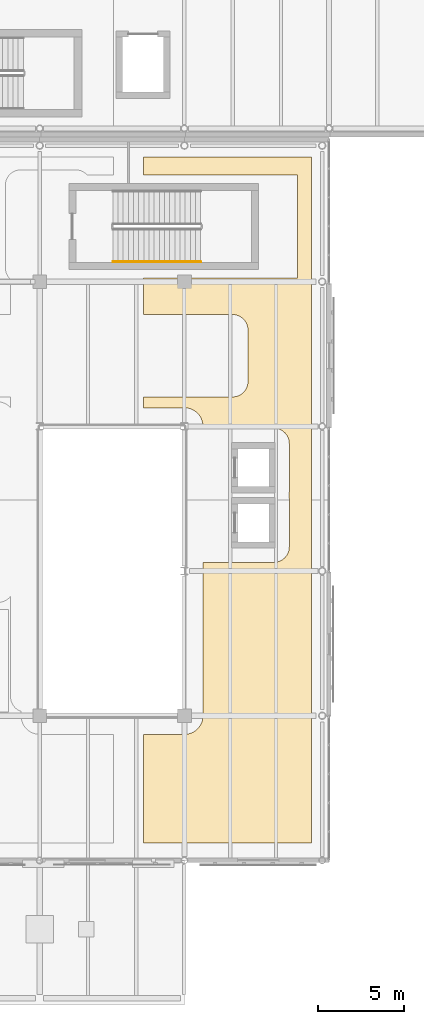
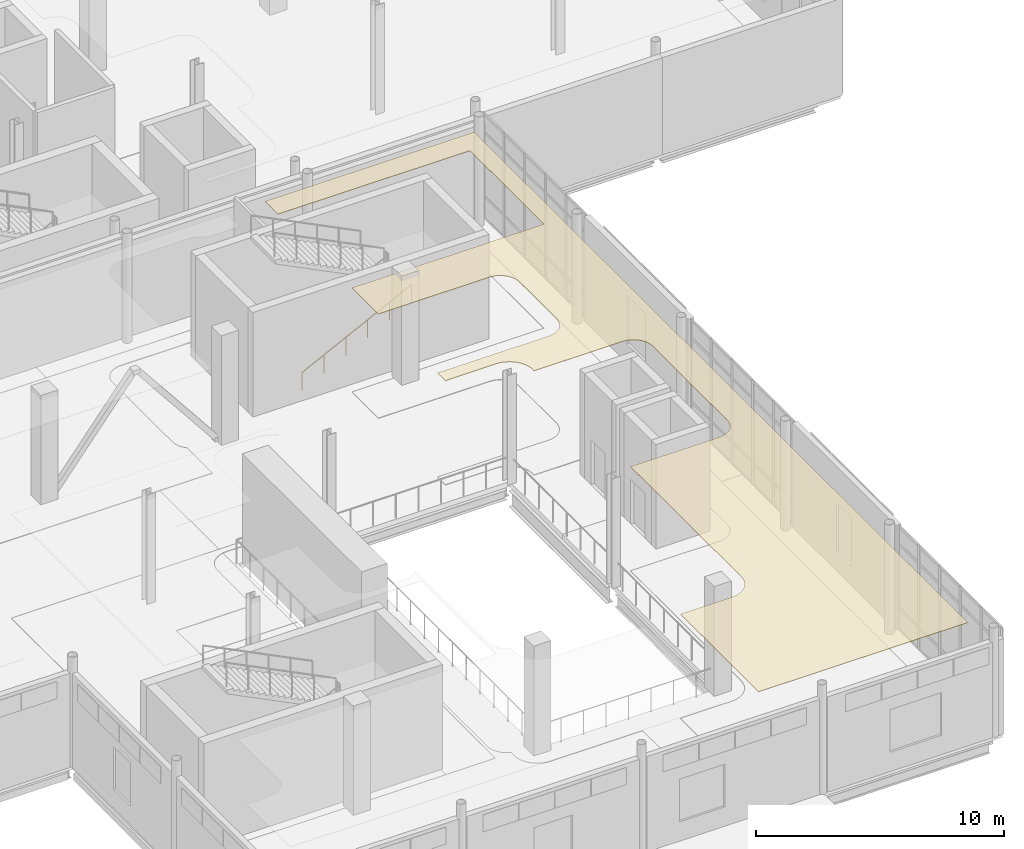
# One storey, part 106 of 110: 1 covering, 1 railing.
"""IFC4 building model written with IfcOpenShell, lengths in metres."""

from ifc_helpers import new_model, si_unit, direction, frame, origin, origin_2d, place, context, subcontext, project, spatial, polyline, circle, outline, extrude, material, layer, layer_set, type_object, element, save


model = new_model("IFC4")

# Units and contexts
model_context = context("Model", 3, precision=1e-05, world=origin(), true_north=direction((0.0, 1.0)))
body_context = subcontext(model_context, "Body", "Model", "MODEL_VIEW")
ifc_project = project(units=[si_unit("LENGTHUNIT", "METRE"), si_unit("AREAUNIT", "SQUARE_METRE"), si_unit("VOLUMEUNIT", "CUBIC_METRE"), si_unit("PLANEANGLEUNIT", "RADIAN"), si_unit("MASSUNIT", "GRAM", prefix="KILO"), si_unit("THERMODYNAMICTEMPERATUREUNIT", "KELVIN")], contexts=[model_context])

# Site, building, storey
site_placement = place(None, origin())
site = spatial("IfcSite", under=ifc_project, at=site_placement, CompositionType="ELEMENT")
building_placement = place(site_placement, origin())
building = spatial("IfcBuilding", under=site, at=building_placement, Name="Lustrewick Department Store", CompositionType="ELEMENT")
storey_placement = place(building_placement, frame((0.0, 0.0, 6.0)))
storey = spatial("IfcBuildingStorey", under=building, at=storey_placement, Name="L02", CompositionType="ELEMENT", Elevation=6.0)

# Covering
ifc_material_1 = material(Name="Perforated mineral-fibre acoustic ceiling board", Category="gypsum")
ifc_layer = layer(ifc_material_1, 0.02490234375, Name="Perforated mineral-fibre acoustic ceiling board")
ifc_layer_set = layer_set([ifc_layer], Name="Perforated mineral-fibre acoustic ceiling board")
covering_type = type_object("IfcCoveringType", Name="COV-CEIL", PredefinedType="CEILING", material=ifc_layer_set)
covering_placement = place(storey_placement, frame((0.0, 0.0, 5.1201171875)))
element("IfcCovering", 1, at=covering_placement, inside=storey, type_object=covering_type, Name="L02 Commercial Restaurant Kitchen Acoustic Ceiling", PredefinedType="CEILING", context=body_context, shape_type="SweptSolid", body=[
    extrude(outline(polyline([(140.438232421875, 15.719970703125), (140.438232421875, 9.419921875), (150.179931640625, 9.419921875), (150.179931640625, 49.22998046875), (140.438232421875, 49.22998046875), (140.438232421875, 48.18994140625), (146.702880859375, 48.18994140625), (146.78759765625, 48.185791015625), (146.82666015625, 48.179931640625), (149.3798828125, 48.179931640625), (149.3798828125, 42.219970703125), (146.82666015625, 42.219970703125), (146.78759765625, 42.214111328125), (146.702880859375, 42.2099609375), (140.438232421875, 42.2099609375), (140.438232421875, 40.090087890625), (145.60302734375, 40.090087890625), (145.687744140625, 40.085693359375), (145.771484375, 40.0732421875), (145.77490234375, 40.072509765625), (145.79248046875, 40.06884765625), (145.795654296875, 40.068115234375), (145.87841796875, 40.04541015625), (145.95849609375, 40.0146484375), (145.961181640625, 40.013427734375), (145.963623046875, 40.01220703125), (146.030517578125, 39.97900390625), (146.034423828125, 39.976806640625), (146.095947265625, 39.939208984375), (146.154052734375, 39.896484375), (146.15869140625, 39.892822265625), (146.2294921875, 39.829345703125), (146.29296875, 39.758544921875), (146.29638671875, 39.75390625), (146.339111328125, 39.69580078125), (146.376708984375, 39.634521484375), (146.37890625, 39.630615234375), (146.412109375, 39.563720703125), (146.41455078125, 39.55859375), (146.445556640625, 39.478515625), (146.46826171875, 39.395751953125), (146.468994140625, 39.392578125), (146.47265625, 39.375), (146.473388671875, 39.37158203125), (146.48583984375, 39.28759765625), (146.489990234375, 39.202880859375), (146.489990234375, 36.197021484375), (146.48583984375, 36.1123046875), (146.473388671875, 36.0283203125), (146.47265625, 36.02490234375), (146.468994140625, 36.007568359375), (146.46826171875, 36.00439453125), (146.445556640625, 35.92138671875), (146.41455078125, 35.841552734375), (146.412109375, 35.836181640625), (146.37890625, 35.76953125), (146.376708984375, 35.765625), (146.339111328125, 35.7041015625), (146.29638671875, 35.64599609375), (146.29296875, 35.641357421875), (146.2294921875, 35.570556640625), (146.15869140625, 35.507080078125), (146.154052734375, 35.50341796875), (146.095947265625, 35.4609375), (146.034423828125, 35.42333984375), (146.030517578125, 35.421142578125), (145.963623046875, 35.3876953125), (145.95849609375, 35.385498046875), (145.87841796875, 35.3544921875), (145.795654296875, 35.331787109375), (145.79248046875, 35.3310546875), (145.77490234375, 35.327392578125), (145.771484375, 35.32666015625), (145.687744140625, 35.314208984375), (145.60302734375, 35.31005859375), (140.438232421875, 35.31005859375), (140.438232421875, 34.679931640625), (142.801025390625, 34.679931640625), (142.84375, 34.678955078125), (142.8662109375, 34.677734375), (142.943603515625, 34.670166015625), (142.966796875, 34.6669921875), (143.051513671875, 34.650146484375), (143.074462890625, 34.644287109375), (143.1533203125, 34.620361328125), (143.17529296875, 34.612548828125), (143.250244140625, 34.58154296875), (143.271728515625, 34.5712890625), (143.345947265625, 34.531494140625), (143.3662109375, 34.51953125), (143.43310546875, 34.474609375), (143.4521484375, 34.460693359375), (143.517822265625, 34.40673828125), (143.53515625, 34.390869140625), (143.5908203125, 34.335205078125), (143.606689453125, 34.31787109375), (143.66064453125, 34.252197265625), (143.6748046875, 34.233154296875), (143.719482421875, 34.166259765625), (143.731689453125, 34.14599609375), (143.771484375, 34.07177734375), (143.781494140625, 34.05029296875), (143.8125, 33.975341796875), (143.8203125, 33.953369140625), (143.844482421875, 33.87451171875), (143.85009765625, 33.8515625), (143.866943359375, 33.7666015625), (143.8701171875, 33.743408203125), (143.877685546875, 33.666259765625), (143.87890625, 33.643798828125), (143.8798828125, 33.60107421875), (143.8798828125, 33.489990234375), (148.0029296875, 33.489990234375), (148.087646484375, 33.48583984375), (148.171630859375, 33.473388671875), (148.175048828125, 33.47265625), (148.1923828125, 33.468994140625), (148.19580078125, 33.46826171875), (148.278564453125, 33.445556640625), (148.3583984375, 33.41455078125), (148.36376953125, 33.412109375), (148.430419921875, 33.37890625), (148.434326171875, 33.376708984375), (148.495849609375, 33.339111328125), (148.553955078125, 33.29638671875), (148.55859375, 33.29296875), (148.62939453125, 33.2294921875), (148.69287109375, 33.15869140625), (148.696533203125, 33.154052734375), (148.739013671875, 33.095947265625), (148.776611328125, 33.034423828125), (148.77880859375, 33.030517578125), (148.812255859375, 32.963623046875), (148.814697265625, 32.95849609375), (148.845458984375, 32.87841796875), (148.8681640625, 32.795654296875), (148.868896484375, 32.79248046875), (148.87255859375, 32.77490234375), (148.873291015625, 32.771484375), (148.8857421875, 32.687744140625), (148.889892578125, 32.60302734375), (148.889892578125, 29.797119140625), (148.8857421875, 29.71240234375), (148.873291015625, 29.62841796875), (148.87255859375, 29.625), (148.868896484375, 29.607421875), (148.8681640625, 29.604248046875), (148.866943359375, 29.60009765625), (148.8681640625, 29.595703125), (148.868896484375, 29.592529296875), (148.87255859375, 29.574951171875), (148.873291015625, 29.571533203125), (148.8857421875, 29.48779296875), (148.889892578125, 29.403076171875), (148.889892578125, 26.596923828125), (148.8857421875, 26.51220703125), (148.873291015625, 26.428466796875), (148.87255859375, 26.425048828125), (148.868896484375, 26.407470703125), (148.8681640625, 26.404296875), (148.845458984375, 26.321533203125), (148.814697265625, 26.241455078125), (148.812255859375, 26.236328125), (148.77880859375, 26.16943359375), (148.776611328125, 26.16552734375), (148.739013671875, 26.10400390625), (148.696533203125, 26.0458984375), (148.69287109375, 26.04150390625), (148.62939453125, 25.970703125), (148.55859375, 25.906982421875), (148.553955078125, 25.903564453125), (148.495849609375, 25.86083984375), (148.434326171875, 25.8232421875), (148.430419921875, 25.821044921875), (148.36376953125, 25.787841796875), (148.3583984375, 25.785400390625), (148.278564453125, 25.75439453125), (148.19580078125, 25.731689453125), (148.1923828125, 25.731201171875), (148.175048828125, 25.727294921875), (148.171630859375, 25.726806640625), (148.087646484375, 25.714111328125), (148.0029296875, 25.7099609375), (143.8798828125, 25.7099609375), (143.8798828125, 16.799072265625), (143.87890625, 16.756103515625), (143.877685546875, 16.733642578125), (143.8701171875, 16.656494140625), (143.866943359375, 16.63330078125), (143.85009765625, 16.548583984375), (143.844482421875, 16.525390625), (143.8203125, 16.446533203125), (143.8125, 16.424560546875), (143.781494140625, 16.349609375), (143.771484375, 16.328369140625), (143.731689453125, 16.25390625), (143.719482421875, 16.23388671875), (143.6748046875, 16.166748046875), (143.66064453125, 16.147705078125), (143.606689453125, 16.082275390625), (143.5908203125, 16.064697265625), (143.53515625, 16.009033203125), (143.517822265625, 15.993408203125), (143.4521484375, 15.939453125), (143.43310546875, 15.92529296875), (143.3662109375, 15.880615234375), (143.345947265625, 15.868408203125), (143.271728515625, 15.82861328125), (143.250244140625, 15.818603515625), (143.17529296875, 15.78759765625), (143.1533203125, 15.779541015625), (143.074462890625, 15.755615234375), (143.051513671875, 15.749755859375), (142.966796875, 15.733154296875), (142.943603515625, 15.729736328125), (142.8662109375, 15.72216796875), (142.84375, 15.72119140625), (142.801025390625, 15.719970703125), (140.438232421875, 15.719970703125)])), origin(), (0.0, 0.0, 1.0), 0.02490234375),
])

# Railing
ifc_material_2 = material(Name="Brushed stainless steel wall handrail", Category="steel")
railing_type = type_object("IfcRailingType", Name="RL-STH", PredefinedType="HANDRAIL", material=ifc_material_2)
railing_placement = place(storey_placement, frame((138.64990234375, 43.14990234375, 0.14990234375)))
element("IfcRailing", 2, at=railing_placement, inside=storey, type_object=railing_type, Name="L02 ST08 Stair Handrail 1", PredefinedType="HANDRAIL", context=body_context, shape_type="SweptSolid", body=[
    extrude(circle(Radius=0.02392578125, at=origin_2d()), frame((0.0, 0.0, 0.8759765625), z_axis=(0.894427191, 0.0, 0.4472135955), x_axis=(0.0, 1.0, 0.0)), (0.0, 0.0, 1.0), 5.7021484375),
    extrude(circle(Radius=0.02099609375, at=origin_2d()), origin(), (0.0, 0.0, 1.0), 0.851806640625),
    extrude(circle(Radius=0.02099609375, at=origin_2d()), frame((1.02001953125, 0.0, 0.510009765625)), (0.0, 0.0, 1.0), 0.851806640625),
    extrude(circle(Radius=0.02099609375, at=origin_2d()), frame((2.0400390625, 0.0, 1.02001953125)), (0.0, 0.0, 1.0), 0.851806640625),
    extrude(circle(Radius=0.02099609375, at=origin_2d()), frame((3.06005859375, 0.0, 1.530029296875)), (0.0, 0.0, 1.0), 0.851806640625),
    extrude(circle(Radius=0.02099609375, at=origin_2d()), frame((4.080078125, 0.0, 2.0400390625)), (0.0, 0.0, 1.0), 0.851806640625),
    extrude(circle(Radius=0.02099609375, at=origin_2d()), frame((5.10009765625, 0.0, 2.550048828125)), (0.0, 0.0, 1.0), 0.851806640625),
])

save(model, "model.ifc")
